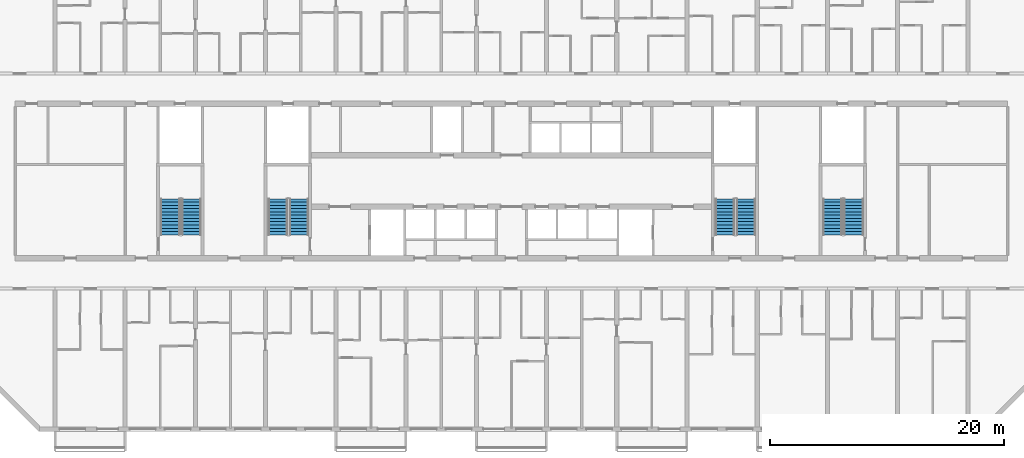
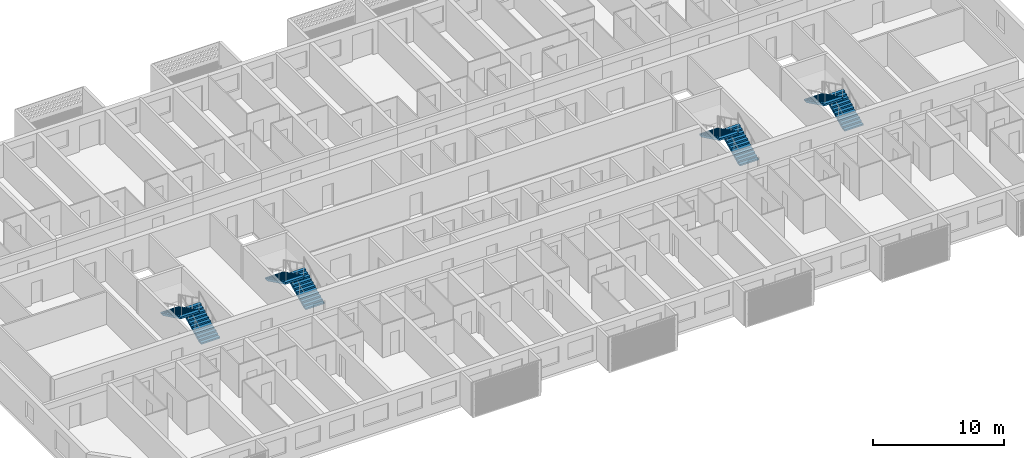
# One storey, part 16 of 27: 8 stair flights, 4 elements without a shape of their own.
"""IFC4 building model written with IfcOpenShell, lengths in metres."""

from ifc_helpers import new_model, si_unit, direction, frame, origin, place, context, subcontext, project, spatial, polyline, outline, extrude, material, layer, layer_set, type_object, element, aggregate, save


model = new_model("IFC4")

# Units and contexts
model_context = context("Model", 3, precision=1e-05, world=origin(), true_north=direction((0.0, 1.0)))
body_context = subcontext(model_context, "Body", "Model", "MODEL_VIEW")
ifc_project = project(units=[si_unit("LENGTHUNIT", "METRE"), si_unit("AREAUNIT", "SQUARE_METRE"), si_unit("VOLUMEUNIT", "CUBIC_METRE"), si_unit("PLANEANGLEUNIT", "RADIAN"), si_unit("MASSUNIT", "GRAM", prefix="KILO")], contexts=[model_context])

# Site, building, storey
site_placement = place(None, origin())
site = spatial("IfcSite", under=ifc_project, at=site_placement, CompositionType="ELEMENT")
building_placement = place(site_placement, origin())
building = spatial("IfcBuilding", under=site, at=building_placement, Name="Poui Terraces", CompositionType="ELEMENT")
storey_placement = place(building_placement, frame((0.0, 0.0, 92.699951171875)))
storey = spatial("IfcBuildingStorey", under=building, at=storey_placement, Name="L25", CompositionType="ELEMENT", Elevation=92.699951171875)

# Stair, stair flights
ifc_material = material(Name="Concrete 65 MPa", Category="concrete")
stair_type = type_object("IfcStairType", Name="EXIT STAIR 1650 65 MPA", PredefinedType="HALF_TURN_STAIR", material=ifc_material)
stair_1_placement = place(storey_placement, origin())
stair_1 = element("IfcStair", 1, at=stair_1_placement, inside=storey, type_object=stair_type, Name="L25 CORE STAIR EAST", PredefinedType="HALF_TURN_STAIR")
ifc_layer = layer(ifc_material, 0.14990234375)
ifc_layer_set = layer_set([ifc_layer], Name="Concrete 65 MPa")
stair_flight_type = type_object("IfcStairFlightType", Name="STAIR FLIGHT 12 RISERS 138 RISE 65 MPA", PredefinedType="STRAIGHT", material=ifc_layer_set)
stair_flight_1_placement = place(storey_placement, frame((71.050048828125, 16.60009765625, 0.0), z_axis=(0.0, 0.0, 1.0), x_axis=(0.0, 1.0, 0.0)))
stair_flight_1 = element("IfcStairFlight", 2, at=stair_flight_1_placement, type_object=stair_flight_type, Name="ST-CE flight 1", NumberOfRisers=12, NumberOfTreads=11, PredefinedType="STRAIGHT", RiserHeight=0.1375, TreadLength=0.28, context=body_context, shape_type="SweptSolid", body=[
    extrude(outline(polyline([(0.0, 0.0), (0.0, 0.137451171875), (0.280029296875, 0.137451171875), (0.280029296875, 0.27490234375), (0.56005859375, 0.27490234375), (0.56005859375, 0.41259765625), (0.840087890625, 0.41259765625), (0.840087890625, 0.550048828125), (1.1201171875, 0.550048828125), (1.1201171875, 0.6875), (1.39990234375, 0.6875), (1.39990234375, 0.824951171875), (1.679931640625, 0.824951171875), (1.679931640625, 0.96240234375), (1.9599609375, 0.96240234375), (1.9599609375, 1.10009765625), (2.239990234375, 1.10009765625), (2.239990234375, 1.237548828125), (2.52001953125, 1.237548828125), (2.52001953125, 1.375), (2.800048828125, 1.375), (2.800048828125, 1.512451171875), (3.080078125, 1.512451171875), (3.080078125, 1.64990234375), (3.080078125, 1.345458984375), (0.340087890625, 0.0), (0.0, 0.0)])), frame((0.0, 0.824951171875, 0.0), z_axis=(0.0, -1.0, 0.0), x_axis=(1.0, 0.0, 0.0)), (0.0, 0.0, 1.0), 1.64990234375),
])
stair_flight_2_placement = place(storey_placement, frame((69.25, 19.679931640625, 1.650146484375), z_axis=(0.0, 0.0, 1.0), x_axis=(0.0, -1.0, 0.0)))
stair_flight_2 = element("IfcStairFlight", 3, at=stair_flight_2_placement, type_object=stair_flight_type, Name="ST-CE flight 2", NumberOfRisers=12, NumberOfTreads=11, PredefinedType="STRAIGHT", RiserHeight=0.1375, TreadLength=0.28, context=body_context, shape_type="SweptSolid", body=[
    extrude(outline(polyline([(0.0, 0.0), (0.0, 0.137451171875), (0.280029296875, 0.137451171875), (0.280029296875, 0.27490234375), (0.56005859375, 0.27490234375), (0.56005859375, 0.41259765625), (0.840087890625, 0.41259765625), (0.840087890625, 0.550048828125), (1.1201171875, 0.550048828125), (1.1201171875, 0.6875), (1.39990234375, 0.6875), (1.39990234375, 0.824951171875), (1.679931640625, 0.824951171875), (1.679931640625, 0.96240234375), (1.9599609375, 0.96240234375), (1.9599609375, 1.10009765625), (2.239990234375, 1.10009765625), (2.239990234375, 1.237548828125), (2.52001953125, 1.237548828125), (2.52001953125, 1.375), (2.800048828125, 1.375), (2.800048828125, 1.512451171875), (3.080078125, 1.512451171875), (3.080078125, 1.64990234375), (3.080078125, 1.345458984375), (0.340087890625, 0.0), (0.0, 0.0)])), frame((0.0, 0.824951171875, 0.0), z_axis=(0.0, -1.0, 0.0), x_axis=(1.0, 0.0, 0.0)), (0.0, 0.0, 1.0), 1.64990234375),
])
aggregate(stair_1, [stair_flight_1, stair_flight_2])

stair_2_placement = place(storey_placement, origin())
stair_2 = element("IfcStair", 4, at=stair_2_placement, inside=storey, type_object=stair_type, Name="L25 CORE STAIR WEST", PredefinedType="HALF_TURN_STAIR")
stair_flight_3_placement = place(storey_placement, frame((32.85009765625, 16.60009765625, 0.0), z_axis=(0.0, 0.0, 1.0), x_axis=(0.0, 1.0, 0.0)))
stair_flight_3 = element("IfcStairFlight", 5, at=stair_flight_3_placement, type_object=stair_flight_type, Name="ST-CW flight 1", NumberOfRisers=12, NumberOfTreads=11, PredefinedType="STRAIGHT", RiserHeight=0.1375, TreadLength=0.28, context=body_context, shape_type="SweptSolid", body=[
    extrude(outline(polyline([(0.0, 0.0), (0.0, 0.137451171875), (0.280029296875, 0.137451171875), (0.280029296875, 0.27490234375), (0.56005859375, 0.27490234375), (0.56005859375, 0.41259765625), (0.840087890625, 0.41259765625), (0.840087890625, 0.550048828125), (1.1201171875, 0.550048828125), (1.1201171875, 0.6875), (1.39990234375, 0.6875), (1.39990234375, 0.824951171875), (1.679931640625, 0.824951171875), (1.679931640625, 0.96240234375), (1.9599609375, 0.96240234375), (1.9599609375, 1.10009765625), (2.239990234375, 1.10009765625), (2.239990234375, 1.237548828125), (2.52001953125, 1.237548828125), (2.52001953125, 1.375), (2.800048828125, 1.375), (2.800048828125, 1.512451171875), (3.080078125, 1.512451171875), (3.080078125, 1.64990234375), (3.080078125, 1.345458984375), (0.340087890625, 0.0), (0.0, 0.0)])), frame((0.0, 0.824951171875, 0.0), z_axis=(0.0, -1.0, 0.0), x_axis=(1.0, 0.0, 0.0)), (0.0, 0.0, 1.0), 1.64990234375),
])
stair_flight_4_placement = place(storey_placement, frame((31.050048828125, 19.679931640625, 1.650146484375), z_axis=(0.0, 0.0, 1.0), x_axis=(0.0, -1.0, 0.0)))
stair_flight_4 = element("IfcStairFlight", 6, at=stair_flight_4_placement, type_object=stair_flight_type, Name="ST-CW flight 2", NumberOfRisers=12, NumberOfTreads=11, PredefinedType="STRAIGHT", RiserHeight=0.1375, TreadLength=0.28, context=body_context, shape_type="SweptSolid", body=[
    extrude(outline(polyline([(0.0, 0.0), (0.0, 0.137451171875), (0.280029296875, 0.137451171875), (0.280029296875, 0.27490234375), (0.56005859375, 0.27490234375), (0.56005859375, 0.41259765625), (0.840087890625, 0.41259765625), (0.840087890625, 0.550048828125), (1.1201171875, 0.550048828125), (1.1201171875, 0.6875), (1.39990234375, 0.6875), (1.39990234375, 0.824951171875), (1.679931640625, 0.824951171875), (1.679931640625, 0.96240234375), (1.9599609375, 0.96240234375), (1.9599609375, 1.10009765625), (2.239990234375, 1.10009765625), (2.239990234375, 1.237548828125), (2.52001953125, 1.237548828125), (2.52001953125, 1.375), (2.800048828125, 1.375), (2.800048828125, 1.512451171875), (3.080078125, 1.512451171875), (3.080078125, 1.64990234375), (3.080078125, 1.345458984375), (0.340087890625, 0.0), (0.0, 0.0)])), frame((0.0, 0.824951171875, 0.0), z_axis=(0.0, -1.0, 0.0), x_axis=(1.0, 0.0, 0.0)), (0.0, 0.0, 1.0), 1.64990234375),
])
aggregate(stair_2, [stair_flight_3, stair_flight_4])

stair_3_placement = place(storey_placement, origin())
stair_3 = element("IfcStair", 7, at=stair_3_placement, inside=storey, type_object=stair_type, Name="L25 TIP STAIR EAST", PredefinedType="HALF_TURN_STAIR")
stair_flight_5_placement = place(storey_placement, frame((80.25, 16.60009765625, 0.0), z_axis=(0.0, 0.0, 1.0), x_axis=(0.0, 1.0, 0.0)))
stair_flight_5 = element("IfcStairFlight", 8, at=stair_flight_5_placement, type_object=stair_flight_type, Name="ST-E flight 1", NumberOfRisers=12, NumberOfTreads=11, PredefinedType="STRAIGHT", RiserHeight=0.1375, TreadLength=0.28, context=body_context, shape_type="SweptSolid", body=[
    extrude(outline(polyline([(0.0, 0.0), (0.0, 0.137451171875), (0.280029296875, 0.137451171875), (0.280029296875, 0.27490234375), (0.56005859375, 0.27490234375), (0.56005859375, 0.41259765625), (0.840087890625, 0.41259765625), (0.840087890625, 0.550048828125), (1.1201171875, 0.550048828125), (1.1201171875, 0.6875), (1.39990234375, 0.6875), (1.39990234375, 0.824951171875), (1.679931640625, 0.824951171875), (1.679931640625, 0.96240234375), (1.9599609375, 0.96240234375), (1.9599609375, 1.10009765625), (2.239990234375, 1.10009765625), (2.239990234375, 1.237548828125), (2.52001953125, 1.237548828125), (2.52001953125, 1.375), (2.800048828125, 1.375), (2.800048828125, 1.512451171875), (3.080078125, 1.512451171875), (3.080078125, 1.64990234375), (3.080078125, 1.345458984375), (0.340087890625, 0.0), (0.0, 0.0)])), frame((0.0, 0.824951171875, 0.0), z_axis=(0.0, -1.0, 0.0), x_axis=(1.0, 0.0, 0.0)), (0.0, 0.0, 1.0), 1.64990234375),
])
stair_flight_6_placement = place(storey_placement, frame((78.449951171875, 19.679931640625, 1.650146484375), z_axis=(0.0, 0.0, 1.0), x_axis=(0.0, -1.0, 0.0)))
stair_flight_6 = element("IfcStairFlight", 9, at=stair_flight_6_placement, type_object=stair_flight_type, Name="ST-E flight 2", NumberOfRisers=12, NumberOfTreads=11, PredefinedType="STRAIGHT", RiserHeight=0.1375, TreadLength=0.28, context=body_context, shape_type="SweptSolid", body=[
    extrude(outline(polyline([(0.0, 0.0), (0.0, 0.137451171875), (0.280029296875, 0.137451171875), (0.280029296875, 0.27490234375), (0.56005859375, 0.27490234375), (0.56005859375, 0.41259765625), (0.840087890625, 0.41259765625), (0.840087890625, 0.550048828125), (1.1201171875, 0.550048828125), (1.1201171875, 0.6875), (1.39990234375, 0.6875), (1.39990234375, 0.824951171875), (1.679931640625, 0.824951171875), (1.679931640625, 0.96240234375), (1.9599609375, 0.96240234375), (1.9599609375, 1.10009765625), (2.239990234375, 1.10009765625), (2.239990234375, 1.237548828125), (2.52001953125, 1.237548828125), (2.52001953125, 1.375), (2.800048828125, 1.375), (2.800048828125, 1.512451171875), (3.080078125, 1.512451171875), (3.080078125, 1.64990234375), (3.080078125, 1.345458984375), (0.340087890625, 0.0), (0.0, 0.0)])), frame((0.0, 0.824951171875, 0.0), z_axis=(0.0, -1.0, 0.0), x_axis=(1.0, 0.0, 0.0)), (0.0, 0.0, 1.0), 1.64990234375),
])
aggregate(stair_3, [stair_flight_5, stair_flight_6])

stair_4_placement = place(storey_placement, origin())
stair_4 = element("IfcStair", 10, at=stair_4_placement, inside=storey, type_object=stair_type, Name="L25 TIP STAIR WEST", PredefinedType="HALF_TURN_STAIR")
stair_flight_7_placement = place(storey_placement, frame((23.64990234375, 16.60009765625, 0.0), z_axis=(0.0, 0.0, 1.0), x_axis=(0.0, 1.0, 0.0)))
stair_flight_7 = element("IfcStairFlight", 11, at=stair_flight_7_placement, type_object=stair_flight_type, Name="ST-W flight 1", NumberOfRisers=12, NumberOfTreads=11, PredefinedType="STRAIGHT", RiserHeight=0.1375, TreadLength=0.28, context=body_context, shape_type="SweptSolid", body=[
    extrude(outline(polyline([(0.0, 0.0), (0.0, 0.137451171875), (0.280029296875, 0.137451171875), (0.280029296875, 0.27490234375), (0.56005859375, 0.27490234375), (0.56005859375, 0.41259765625), (0.840087890625, 0.41259765625), (0.840087890625, 0.550048828125), (1.1201171875, 0.550048828125), (1.1201171875, 0.6875), (1.39990234375, 0.6875), (1.39990234375, 0.824951171875), (1.679931640625, 0.824951171875), (1.679931640625, 0.96240234375), (1.9599609375, 0.96240234375), (1.9599609375, 1.10009765625), (2.239990234375, 1.10009765625), (2.239990234375, 1.237548828125), (2.52001953125, 1.237548828125), (2.52001953125, 1.375), (2.800048828125, 1.375), (2.800048828125, 1.512451171875), (3.080078125, 1.512451171875), (3.080078125, 1.64990234375), (3.080078125, 1.345458984375), (0.340087890625, 0.0), (0.0, 0.0)])), frame((0.0, 0.824951171875, 0.0), z_axis=(0.0, -1.0, 0.0), x_axis=(1.0, 0.0, 0.0)), (0.0, 0.0, 1.0), 1.64990234375),
])
stair_flight_8_placement = place(storey_placement, frame((21.85009765625, 19.679931640625, 1.650146484375), z_axis=(0.0, 0.0, 1.0), x_axis=(0.0, -1.0, 0.0)))
stair_flight_8 = element("IfcStairFlight", 12, at=stair_flight_8_placement, type_object=stair_flight_type, Name="ST-W flight 2", NumberOfRisers=12, NumberOfTreads=11, PredefinedType="STRAIGHT", RiserHeight=0.1375, TreadLength=0.28, context=body_context, shape_type="SweptSolid", body=[
    extrude(outline(polyline([(0.0, 0.0), (0.0, 0.137451171875), (0.280029296875, 0.137451171875), (0.280029296875, 0.27490234375), (0.56005859375, 0.27490234375), (0.56005859375, 0.41259765625), (0.840087890625, 0.41259765625), (0.840087890625, 0.550048828125), (1.1201171875, 0.550048828125), (1.1201171875, 0.6875), (1.39990234375, 0.6875), (1.39990234375, 0.824951171875), (1.679931640625, 0.824951171875), (1.679931640625, 0.96240234375), (1.9599609375, 0.96240234375), (1.9599609375, 1.10009765625), (2.239990234375, 1.10009765625), (2.239990234375, 1.237548828125), (2.52001953125, 1.237548828125), (2.52001953125, 1.375), (2.800048828125, 1.375), (2.800048828125, 1.512451171875), (3.080078125, 1.512451171875), (3.080078125, 1.64990234375), (3.080078125, 1.345458984375), (0.340087890625, 0.0), (0.0, 0.0)])), frame((0.0, 0.824951171875, 0.0), z_axis=(0.0, -1.0, 0.0), x_axis=(1.0, 0.0, 0.0)), (0.0, 0.0, 1.0), 1.64990234375),
])
aggregate(stair_4, [stair_flight_7, stair_flight_8])

save(model, "model.ifc")
